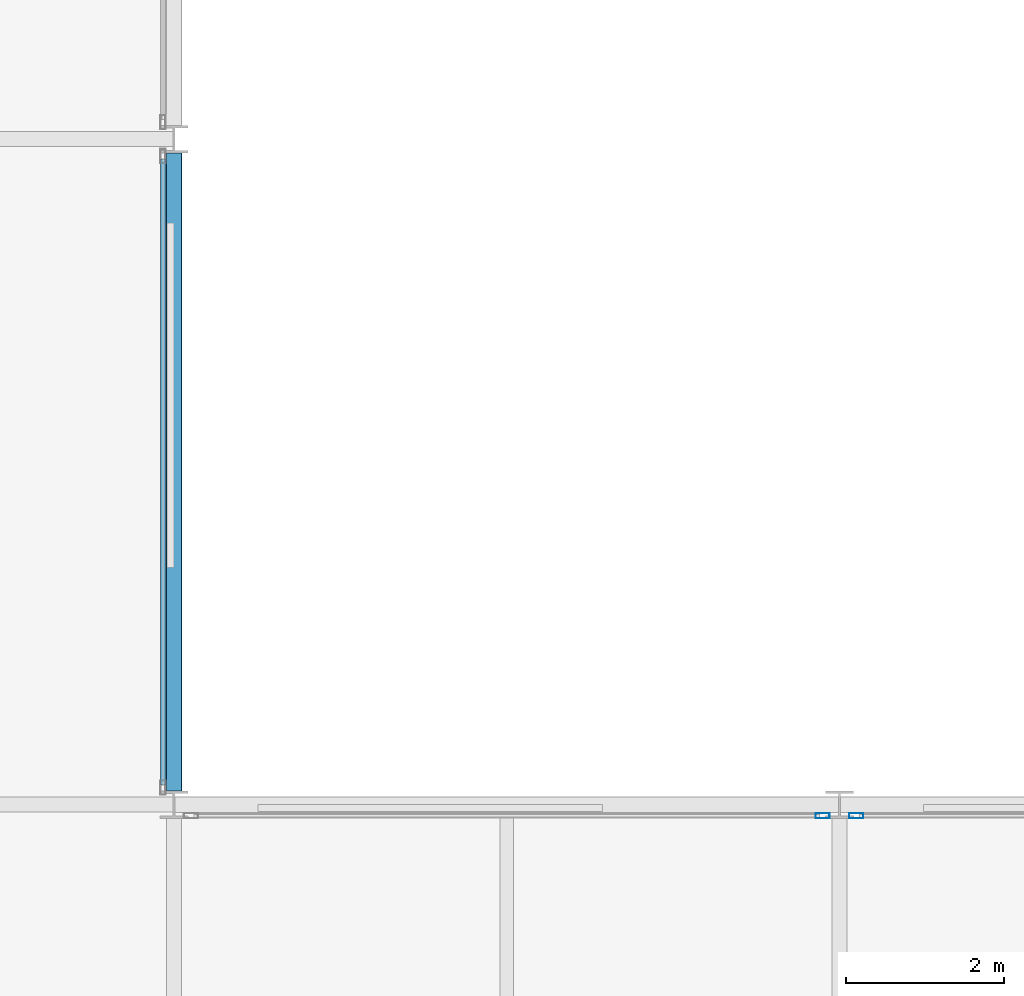
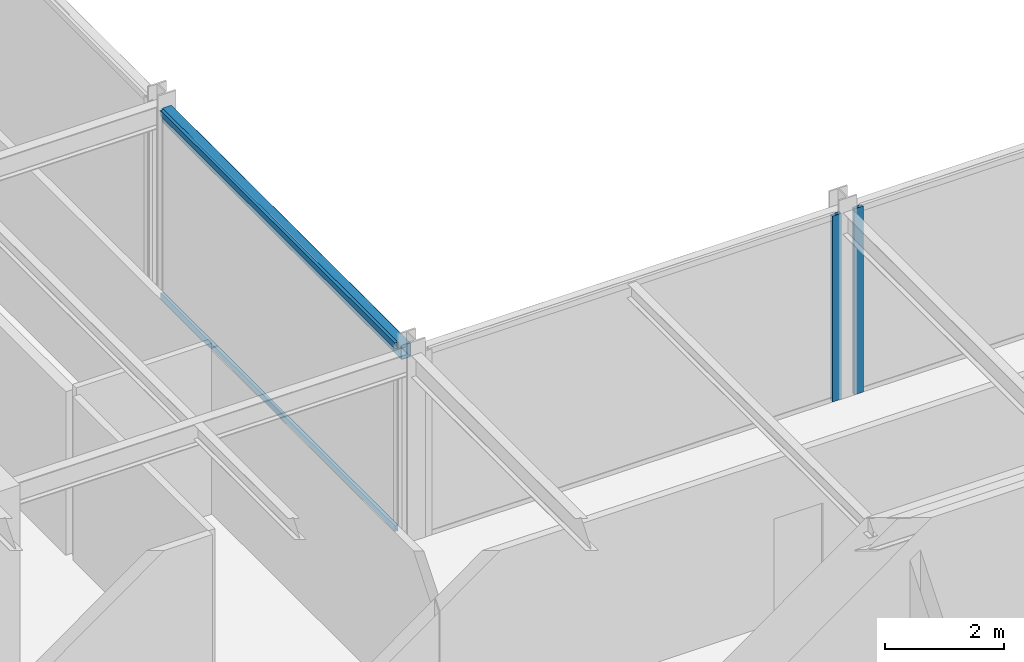
# One storey, part 15 of 29: 4 members, 1 beam, 3 elements without a shape of their own.
"""IFC4 building model written with IfcOpenShell, lengths in metres."""

from ifc_helpers import new_model, si_unit, direction, frame, origin, origin_2d, place, context, subcontext, project, spatial, hollow_rectangle, extrude, material, layer, layer_set, material_profile, profile_set, type_object, element, aggregate, save


model = new_model("IFC4")

# Units and contexts
model_context = context("Model", 3, precision=1e-05, world=origin(), true_north=direction((0.0, 1.0)))
body_context = subcontext(model_context, "Body", "Model", "MODEL_VIEW")
ifc_project = project(units=[si_unit("LENGTHUNIT", "METRE"), si_unit("AREAUNIT", "SQUARE_METRE"), si_unit("VOLUMEUNIT", "CUBIC_METRE"), si_unit("PLANEANGLEUNIT", "RADIAN"), si_unit("MASSUNIT", "GRAM", prefix="KILO")], contexts=[model_context])

# Site, building, storey
site_placement = place(None, origin())
site = spatial("IfcSite", under=ifc_project, at=site_placement, CompositionType="ELEMENT")
building_placement = place(site_placement, origin())
building = spatial("IfcBuilding", under=site, at=building_placement, Name="Nerrivon Quay Data Exchange", CompositionType="ELEMENT")
storey_placement = place(building_placement, frame((0.0, 0.0, 212.39990234375)))
storey = spatial("IfcBuildingStorey", under=building, at=storey_placement, Name="L50", CompositionType="ELEMENT", Elevation=212.39990234375)

# Beam
ifc_material_1 = material(Name="Steel Grade C350L0 (350 MPa)", Category="steel")
ifc_material_profile_1 = material_profile(ifc_material_1, hollow_rectangle(XDim=0.199951171875, YDim=0.300048828125, WallThickness=0.012451171875, InnerFilletRadius=0.018798828125, OuterFilletRadius=0.03125, at=origin_2d()), Name="300x200x12.5RHS")
ifc_profile_set_1 = profile_set([ifc_material_profile_1], Name="Steel Grade C350L0 (350 MPa)")
beam_type = type_object("IfcBeamType", Name="BM-SP3-300x200RHS", PredefinedType="SPANDREL", material=ifc_profile_set_1)
beam_placement = place(storey_placement, frame((25.199951171875, 25.375, 3.675048828125), z_axis=(0.0, 1.0, 0.0), x_axis=(-1.0, 0.0, 0.0)))
element("IfcBeam", 1, at=beam_placement, inside=storey, type_object=beam_type, Name="L50 NS Girder X=25.2 (25.2..33.6)", PredefinedType="SPANDREL", context=body_context, shape_type="SweptSolid", body=[
    extrude(hollow_rectangle(XDim=0.199951171875, YDim=0.300048828125, WallThickness=0.012451171875, InnerFilletRadius=0.018798828125, OuterFilletRadius=0.03125, at=origin_2d()), origin(), (0.0, 0.0, 1.0), 8.050048828125),
])

# Curtain wall, member
ifc_material_2 = material(Name="Anodised aluminium 6063-T6", Category="aluminium")
ifc_layer = layer(ifc_material_2, 0.195068359375)
ifc_layer_set = layer_set([ifc_layer], Name="Anodised aluminium 6063-T6")
curtain_wall_type = type_object("IfcCurtainWallType", Name="CW-SYS-06", PredefinedType="NOTDEFINED", material=ifc_layer_set)
curtain_wall_1_placement = place(storey_placement, origin())
curtain_wall_1 = element("IfcCurtainWall", 2, at=curtain_wall_1_placement, inside=storey, type_object=curtain_wall_type, Name="L50 Unitised Curtain Wall 16", PredefinedType="NOTDEFINED")
ifc_material_profile_2 = material_profile(ifc_material_2, hollow_rectangle(XDim=0.06494140625, YDim=0.179931640625, WallThickness=0.00341796875, at=origin_2d()), Name="ALU-MULL-180x65")
ifc_profile_set_2 = profile_set([ifc_material_profile_2], Name="Anodised aluminium 6063-T6")
member_type_1 = type_object("IfcMemberType", Name="CWM-180x65", PredefinedType="MULLION", material=ifc_profile_set_2)
member_1_placement = place(storey_placement, frame((33.387451171875, 25.06005859375, 0.0), z_axis=(0.0, 0.0, 1.0), x_axis=(0.0, 1.0, 0.0)))
member_1 = element("IfcMember", 3, at=member_1_placement, type_object=member_type_1, Name="CW06 mullion 2", PredefinedType="MULLION", context=body_context, shape_type="SweptSolid", body=[
    extrude(hollow_rectangle(XDim=0.06494140625, YDim=0.179931640625, WallThickness=0.00341796875, at=origin_2d()), origin(), (0.0, 0.0, 1.0), 3.8251953125),
])
aggregate(curtain_wall_1, [member_1])

curtain_wall_2_placement = place(storey_placement, origin())
curtain_wall_2 = element("IfcCurtainWall", 4, at=curtain_wall_2_placement, inside=storey, type_object=curtain_wall_type, Name="L50 Unitised Curtain Wall 17", PredefinedType="NOTDEFINED")
member_2_placement = place(storey_placement, frame((33.8125, 25.06005859375, 0.0), z_axis=(0.0, 0.0, 1.0), x_axis=(0.0, 1.0, 0.0)))
member_2 = element("IfcMember", 5, at=member_2_placement, type_object=member_type_1, Name="CW06 mullion 1", PredefinedType="MULLION", context=body_context, shape_type="SweptSolid", body=[
    extrude(hollow_rectangle(XDim=0.06494140625, YDim=0.179931640625, WallThickness=0.00341796875, at=origin_2d()), origin(), (0.0, 0.0, 1.0), 3.8251953125),
])
aggregate(curtain_wall_2, [member_2])

# Curtain wall, members
curtain_wall_3_placement = place(storey_placement, origin())
curtain_wall_3 = element("IfcCurtainWall", 6, at=curtain_wall_3_placement, inside=storey, type_object=curtain_wall_type, Name="L50 Unitised Curtain Wall 15", PredefinedType="NOTDEFINED")
ifc_material_profile_3 = material_profile(ifc_material_2, hollow_rectangle(XDim=0.06005859375, YDim=0.1201171875, WallThickness=0.003173828125, at=origin_2d()), Name="ALU-TRAN-120x60")
ifc_profile_set_3 = profile_set([ifc_material_profile_3], Name="Anodised aluminium 6063-T6")
member_type_2 = type_object("IfcMemberType", Name="CWT-120x60", PredefinedType="USERDEFINED", material=ifc_profile_set_3)
member_3_placement = place(storey_placement, frame((25.06005859375, 33.35009765625, 0.03271484375), z_axis=(0.0, -1.0, 0.0), x_axis=(1.0, 0.0, 0.0)))
member_3 = element("IfcMember", 7, at=member_3_placement, type_object=member_type_2, Name="CW06 transom 1.1", ObjectType="TRANSOM", PredefinedType="USERDEFINED", context=body_context, shape_type="SweptSolid", body=[
    extrude(hollow_rectangle(XDim=0.06005859375, YDim=0.1201171875, WallThickness=0.003173828125, at=origin_2d()), origin(), (0.0, 0.0, 1.0), 7.900146484375),
])
member_4_placement = place(storey_placement, frame((25.06005859375, 33.35009765625, 3.79248046875), z_axis=(0.0, -1.0, 0.0), x_axis=(1.0, 0.0, 0.0)))
member_4 = element("IfcMember", 8, at=member_4_placement, type_object=member_type_2, Name="CW06 transom 1.2", ObjectType="TRANSOM", PredefinedType="USERDEFINED", context=body_context, shape_type="SweptSolid", body=[
    extrude(hollow_rectangle(XDim=0.06005859375, YDim=0.1201171875, WallThickness=0.003173828125, at=origin_2d()), origin(), (0.0, 0.0, 1.0), 7.900146484375),
])
aggregate(curtain_wall_3, [member_3, member_4])

save(model, "model.ifc")
